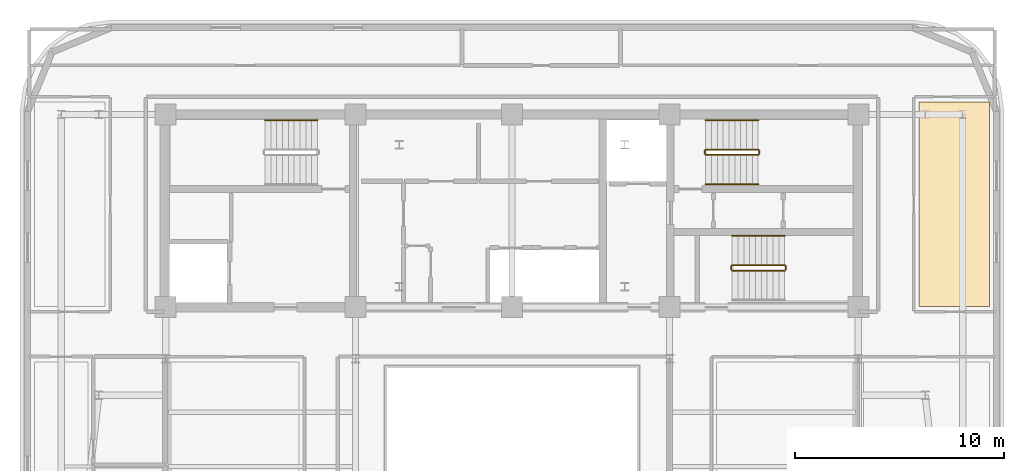
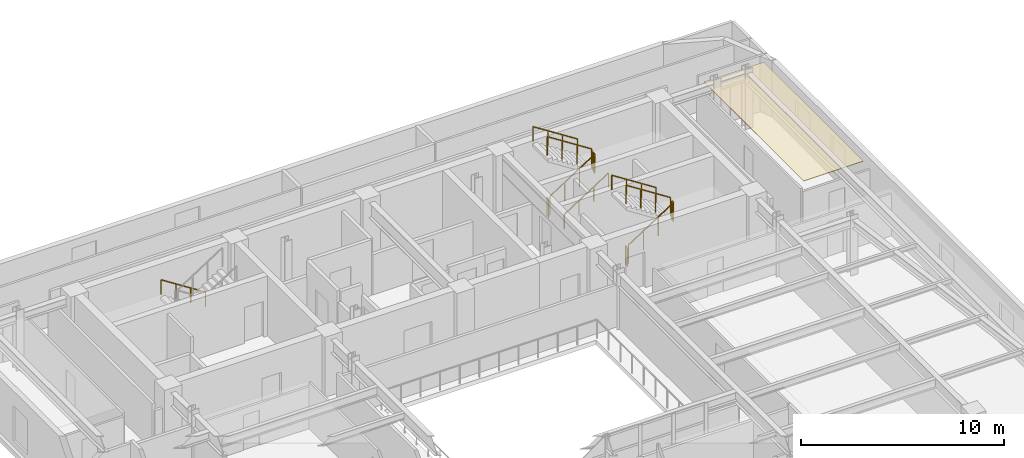
# One storey, part 14 of 14: 12 railings, 1 covering.
"""IFC4 building model written with IfcOpenShell, lengths in metres."""

from ifc_helpers import new_model, si_unit, direction, frame, origin, origin_2d, place, context, subcontext, project, spatial, polyline, rectangle, outline, extrude, material, layer, layer_set, type_object, element, save


model = new_model("IFC4")

# Units and contexts
model_context = context("Model", 3, precision=1e-05, world=origin(), true_north=direction((0.0, 1.0)))
body_context = subcontext(model_context, "Body", "Model", "MODEL_VIEW")
ifc_project = project(units=[si_unit("LENGTHUNIT", "METRE"), si_unit("AREAUNIT", "SQUARE_METRE"), si_unit("VOLUMEUNIT", "CUBIC_METRE"), si_unit("PLANEANGLEUNIT", "RADIAN"), si_unit("MASSUNIT", "GRAM", prefix="KILO")], contexts=[model_context])

# Site, building, storey
site_placement = place(None, origin())
site = spatial("IfcSite", under=ifc_project, at=site_placement, CompositionType="ELEMENT")
building_placement = place(site_placement, origin())
building = spatial("IfcBuilding", under=site, at=building_placement, Name="Zarnavel Station Tower", CompositionType="ELEMENT")
storey_placement = place(building_placement, frame((0.0, 0.0, 218.39990234375)))
storey = spatial("IfcBuildingStorey", under=building, at=storey_placement, Name="L59", CompositionType="ELEMENT", Elevation=218.39990234375)

# Covering
ifc_material_1 = material(Name="Perforated Gypsum and Mineral-Wool Acoustic Ceiling", Category="concrete")
ifc_layer = layer(ifc_material_1, 0.0400390625)
ifc_layer_set = layer_set([ifc_layer], Name="COV_CEIL_ACOUSTIC")
covering_type = type_object("IfcCoveringType", Name="COV_CEIL_ACOUSTIC", PredefinedType="CEILING", material=ifc_layer_set)
covering_placement = place(storey_placement, frame((0.0, 0.0, 3.02001953125)))
element("IfcCovering", 1, at=covering_placement, inside=storey, type_object=covering_type, Name="L59 FNE Acoustic Ceiling", PredefinedType="CEILING", context=body_context, shape_type="SweptSolid", body=[
    extrude(outline(polyline([(48.300048828125, 27.85009765625), (51.68994140625, 27.85009765625), (51.68994140625, 37.64990234375), (48.300048828125, 37.64990234375), (48.300048828125, 27.85009765625)])), origin(), (0.0, 0.0, 1.0), 0.0400390625),
])

# Railings
ifc_material_2 = material(Name="Painted Steel S355J2 Balustrade", Category="steel")
railing_type_1 = type_object("IfcRailingType", Name="GR_INT_1150", PredefinedType="GUARDRAIL", material=ifc_material_2)
railing_1_placement = place(storey_placement, frame((38.080078125, 35.110107421875, 0.18017578125)))
element("IfcRailing", 2, at=railing_1_placement, inside=storey, type_object=railing_type_1, Name="L59 ST2 stair guard 1", PredefinedType="GUARDRAIL", context=body_context, shape_type="SweptSolid", body=[
    extrude(rectangle(XDim=0.048095703125, YDim=0.048095703125, at=origin_2d()), frame((0.001708984375, 0.0, 1.126953125), z_axis=(0.841199657755, 0.0, 0.540724639528), x_axis=(0.0, 1.0, 0.0)), (0.0, 0.0, 1.0), 2.99169921875),
    extrude(rectangle(XDim=0.0419921875, YDim=0.0419921875, at=origin_2d()), origin(), (0.0, 0.0, 1.0), 1.101806640625),
    extrude(rectangle(XDim=0.0419921875, YDim=0.0419921875, at=origin_2d()), frame((0.840087890625, 0.0, 0.5400390625)), (0.0, 0.0, 1.0), 1.101806640625),
    extrude(rectangle(XDim=0.0419921875, YDim=0.0419921875, at=origin_2d()), frame((1.679931640625, 0.0, 1.079833984375)), (0.0, 0.0, 1.0), 1.101806640625),
    extrude(rectangle(XDim=0.0419921875, YDim=0.0419921875, at=origin_2d()), frame((2.52001953125, 0.0, 1.619873046875)), (0.0, 0.0, 1.0), 1.101806640625),
])
railing_2_placement = place(storey_placement, frame((40.64990234375, 35.159912109375, 1.800048828125)))
element("IfcRailing", 3, at=railing_2_placement, inside=storey, type_object=railing_type_1, Name="L59 ST2 stair guard 2", PredefinedType="GUARDRAIL", context=body_context, shape_type="SweptSolid", body=[
    extrude(rectangle(XDim=0.048095703125, YDim=0.048095703125, at=origin_2d()), frame((0.0, 0.001953125, 1.1259765625), z_axis=(0.0, 1.0, 0.0), x_axis=(-1.0, 0.0, 0.0)), (0.0, 0.0, 1.0), 0.15625),
    extrude(rectangle(XDim=0.0419921875, YDim=0.0419921875, at=origin_2d()), origin(), (0.0, 0.0, 1.0), 1.101806640625),
    extrude(rectangle(XDim=0.0419921875, YDim=0.0419921875, at=origin_2d()), frame((0.0, 0.16015625, 0.0)), (0.0, 0.0, 1.0), 1.101806640625),
])
railing_3_placement = place(storey_placement, frame((40.60009765625, 35.3701171875, 1.97998046875)))
element("IfcRailing", 4, at=railing_3_placement, inside=storey, type_object=railing_type_1, Name="L59 ST2 stair guard 3", PredefinedType="GUARDRAIL", context=body_context, shape_type="SweptSolid", body=[
    extrude(rectangle(XDim=0.048095703125, YDim=0.048095703125, at=origin_2d()), frame((-0.001708984375, 0.0, 1.126953125), z_axis=(-0.841162588446, 0.0, 0.540782303519), x_axis=(0.0, -1.0, 0.0)), (0.0, 0.0, 1.0), 2.991943359375),
    extrude(rectangle(XDim=0.0419921875, YDim=0.0419921875, at=origin_2d()), origin(), (0.0, 0.0, 1.0), 1.101806640625),
    extrude(rectangle(XDim=0.0419921875, YDim=0.0419921875, at=origin_2d()), frame((-0.840087890625, 0.0, 0.5400390625)), (0.0, 0.0, 1.0), 1.101806640625),
    extrude(rectangle(XDim=0.0419921875, YDim=0.0419921875, at=origin_2d()), frame((-1.679931640625, 0.0, 1.080078125)), (0.0, 0.0, 1.0), 1.101806640625),
    extrude(rectangle(XDim=0.0419921875, YDim=0.0419921875, at=origin_2d()), frame((-2.52001953125, 0.0, 1.6201171875)), (0.0, 0.0, 1.0), 1.101806640625),
])
railing_4_placement = place(storey_placement, frame((38.030029296875, 35.159912109375, 0.0)))
element("IfcRailing", 5, at=railing_4_placement, inside=storey, type_object=railing_type_1, Name="L59 ST2 stair guard 4", PredefinedType="GUARDRAIL", context=body_context, shape_type="SweptSolid", body=[
    extrude(rectangle(XDim=0.048095703125, YDim=0.048095703125, at=origin_2d()), frame((0.0, 0.001953125, 1.1259765625), z_axis=(0.0, 1.0, 0.0), x_axis=(-1.0, 0.0, 0.0)), (0.0, 0.0, 1.0), 0.15625),
    extrude(rectangle(XDim=0.0419921875, YDim=0.0419921875, at=origin_2d()), origin(), (0.0, 0.0, 1.0), 1.101806640625),
    extrude(rectangle(XDim=0.0419921875, YDim=0.0419921875, at=origin_2d()), frame((0.0, 0.16015625, 0.0)), (0.0, 0.0, 1.0), 1.101806640625),
])
railing_5_placement = place(storey_placement, frame((39.35009765625, 29.570068359375, 0.18017578125)))
element("IfcRailing", 6, at=railing_5_placement, inside=storey, type_object=railing_type_1, Name="L59 ST3 stair guard 1", PredefinedType="GUARDRAIL", context=body_context, shape_type="SweptSolid", body=[
    extrude(rectangle(XDim=0.048095703125, YDim=0.048095703125, at=origin_2d()), frame((0.001708984375, 0.0, 1.126953125), z_axis=(0.841199657755, 0.0, 0.540724639528), x_axis=(0.0, 1.0, 0.0)), (0.0, 0.0, 1.0), 2.99169921875),
    extrude(rectangle(XDim=0.0419921875, YDim=0.0419921875, at=origin_2d()), origin(), (0.0, 0.0, 1.0), 1.101806640625),
    extrude(rectangle(XDim=0.0419921875, YDim=0.0419921875, at=origin_2d()), frame((0.840087890625, 0.0, 0.5400390625)), (0.0, 0.0, 1.0), 1.101806640625),
    extrude(rectangle(XDim=0.0419921875, YDim=0.0419921875, at=origin_2d()), frame((1.679931640625, 0.0, 1.079833984375)), (0.0, 0.0, 1.0), 1.101806640625),
    extrude(rectangle(XDim=0.0419921875, YDim=0.0419921875, at=origin_2d()), frame((2.52001953125, 0.0, 1.619873046875)), (0.0, 0.0, 1.0), 1.101806640625),
])
railing_6_placement = place(storey_placement, frame((41.919921875, 29.6201171875, 1.800048828125)))
element("IfcRailing", 7, at=railing_6_placement, inside=storey, type_object=railing_type_1, Name="L59 ST3 stair guard 2", PredefinedType="GUARDRAIL", context=body_context, shape_type="SweptSolid", body=[
    extrude(rectangle(XDim=0.048095703125, YDim=0.048095703125, at=origin_2d()), frame((0.0, 0.001953125, 1.1259765625), z_axis=(0.0, 1.0, 0.0), x_axis=(-1.0, 0.0, 0.0)), (0.0, 0.0, 1.0), 0.156005859375),
    extrude(rectangle(XDim=0.0419921875, YDim=0.0419921875, at=origin_2d()), origin(), (0.0, 0.0, 1.0), 1.101806640625),
    extrude(rectangle(XDim=0.0419921875, YDim=0.0419921875, at=origin_2d()), frame((0.0, 0.159912109375, 0.0)), (0.0, 0.0, 1.0), 1.101806640625),
])
railing_7_placement = place(storey_placement, frame((41.8701171875, 29.830078125, 1.97998046875)))
element("IfcRailing", 8, at=railing_7_placement, inside=storey, type_object=railing_type_1, Name="L59 ST3 stair guard 3", PredefinedType="GUARDRAIL", context=body_context, shape_type="SweptSolid", body=[
    extrude(rectangle(XDim=0.048095703125, YDim=0.048095703125, at=origin_2d()), frame((-0.001708984375, 0.0, 1.126953125), z_axis=(-0.841162588446, 0.0, 0.540782303519), x_axis=(0.0, -1.0, 0.0)), (0.0, 0.0, 1.0), 2.991943359375),
    extrude(rectangle(XDim=0.0419921875, YDim=0.0419921875, at=origin_2d()), origin(), (0.0, 0.0, 1.0), 1.101806640625),
    extrude(rectangle(XDim=0.0419921875, YDim=0.0419921875, at=origin_2d()), frame((-0.840087890625, 0.0, 0.5400390625)), (0.0, 0.0, 1.0), 1.101806640625),
    extrude(rectangle(XDim=0.0419921875, YDim=0.0419921875, at=origin_2d()), frame((-1.679931640625, 0.0, 1.080078125)), (0.0, 0.0, 1.0), 1.101806640625),
    extrude(rectangle(XDim=0.0419921875, YDim=0.0419921875, at=origin_2d()), frame((-2.52001953125, 0.0, 1.6201171875)), (0.0, 0.0, 1.0), 1.101806640625),
])
railing_8_placement = place(storey_placement, frame((39.300048828125, 29.6201171875, 0.0)))
element("IfcRailing", 9, at=railing_8_placement, inside=storey, type_object=railing_type_1, Name="L59 ST3 stair guard 4", PredefinedType="GUARDRAIL", context=body_context, shape_type="SweptSolid", body=[
    extrude(rectangle(XDim=0.048095703125, YDim=0.048095703125, at=origin_2d()), frame((0.0, 0.001953125, 1.1259765625), z_axis=(0.0, 1.0, 0.0), x_axis=(-1.0, 0.0, 0.0)), (0.0, 0.0, 1.0), 0.156005859375),
    extrude(rectangle(XDim=0.0419921875, YDim=0.0419921875, at=origin_2d()), origin(), (0.0, 0.0, 1.0), 1.101806640625),
    extrude(rectangle(XDim=0.0419921875, YDim=0.0419921875, at=origin_2d()), frame((0.0, 0.159912109375, 0.0)), (0.0, 0.0, 1.0), 1.101806640625),
])
ifc_material_3 = material(Name="Brushed Stainless Steel S355J2 Handrail", Category="steel")
railing_type_2 = type_object("IfcRailingType", Name="HR_STAIR_900", PredefinedType="HANDRAIL", material=ifc_material_3)
railing_9_placement = place(storey_placement, frame((19.47998046875, 36.77001953125, 0.18017578125)))
element("IfcRailing", 10, at=railing_9_placement, inside=storey, type_object=railing_type_2, Name="L59 ST1 stair handrail 1", PredefinedType="HANDRAIL", context=body_context, shape_type="SweptSolid", body=[
    extrude(rectangle(XDim=0.048095703125, YDim=0.048095703125, at=origin_2d()), frame((-0.001708984375, 0.0, 0.876953125), z_axis=(-0.841199657755, 0.0, 0.540724639528), x_axis=(0.0, -1.0, 0.0)), (0.0, 0.0, 1.0), 2.99169921875),
    extrude(rectangle(XDim=0.0419921875, YDim=0.0419921875, at=origin_2d()), origin(), (0.0, 0.0, 1.0), 0.851806640625),
    extrude(rectangle(XDim=0.0419921875, YDim=0.0419921875, at=origin_2d()), frame((-0.840087890625, 0.0, 0.5400390625)), (0.0, 0.0, 1.0), 0.851806640625),
    extrude(rectangle(XDim=0.0419921875, YDim=0.0419921875, at=origin_2d()), frame((-1.679931640625, 0.0, 1.079833984375)), (0.0, 0.0, 1.0), 0.851806640625),
    extrude(rectangle(XDim=0.0419921875, YDim=0.0419921875, at=origin_2d()), frame((-2.52001953125, 0.0, 1.619873046875)), (0.0, 0.0, 1.0), 0.851806640625),
])
railing_10_placement = place(storey_placement, frame((38.080078125, 33.7099609375, 0.18017578125)))
element("IfcRailing", 11, at=railing_10_placement, inside=storey, type_object=railing_type_2, Name="L59 ST2 stair handrail 1", PredefinedType="HANDRAIL", context=body_context, shape_type="SweptSolid", body=[
    extrude(rectangle(XDim=0.048095703125, YDim=0.048095703125, at=origin_2d()), frame((0.001708984375, 0.0, 0.876953125), z_axis=(0.841199657755, 0.0, 0.540724639528), x_axis=(0.0, 1.0, 0.0)), (0.0, 0.0, 1.0), 2.99169921875),
    extrude(rectangle(XDim=0.0419921875, YDim=0.0419921875, at=origin_2d()), origin(), (0.0, 0.0, 1.0), 0.851806640625),
    extrude(rectangle(XDim=0.0419921875, YDim=0.0419921875, at=origin_2d()), frame((0.840087890625, 0.0, 0.5400390625)), (0.0, 0.0, 1.0), 0.851806640625),
    extrude(rectangle(XDim=0.0419921875, YDim=0.0419921875, at=origin_2d()), frame((1.679931640625, 0.0, 1.079833984375)), (0.0, 0.0, 1.0), 0.851806640625),
    extrude(rectangle(XDim=0.0419921875, YDim=0.0419921875, at=origin_2d()), frame((2.52001953125, 0.0, 1.619873046875)), (0.0, 0.0, 1.0), 0.851806640625),
])
for number, where, name in (
    (12, (40.60009765625, 36.77001953125, 1.97998046875), "L59 ST2 stair handrail 2"),
    (13, (41.8701171875, 31.22998046875, 1.97998046875), "L59 ST3 stair handrail 2"),
):
    element("IfcRailing", number, at=place(storey_placement, frame(where)), inside=storey, type_object=railing_type_2, Name=name, PredefinedType="HANDRAIL", context=body_context, shape_type="SweptSolid", body=[
        extrude(rectangle(XDim=0.048095703125, YDim=0.048095703125, at=origin_2d()), frame((-0.001708984375, 0.0, 0.876953125), z_axis=(-0.841162588446, 0.0, 0.540782303519), x_axis=(0.0, -1.0, 0.0)), (0.0, 0.0, 1.0), 2.991943359375),
        extrude(rectangle(XDim=0.0419921875, YDim=0.0419921875, at=origin_2d()), origin(), (0.0, 0.0, 1.0), 0.851806640625),
        extrude(rectangle(XDim=0.0419921875, YDim=0.0419921875, at=origin_2d()), frame((-0.840087890625, 0.0, 0.5400390625)), (0.0, 0.0, 1.0), 0.851806640625),
        extrude(rectangle(XDim=0.0419921875, YDim=0.0419921875, at=origin_2d()), frame((-1.679931640625, 0.0, 1.080078125)), (0.0, 0.0, 1.0), 0.851806640625),
        extrude(rectangle(XDim=0.0419921875, YDim=0.0419921875, at=origin_2d()), frame((-2.52001953125, 0.0, 1.6201171875)), (0.0, 0.0, 1.0), 0.851806640625),
    ])

save(model, "model.ifc")
